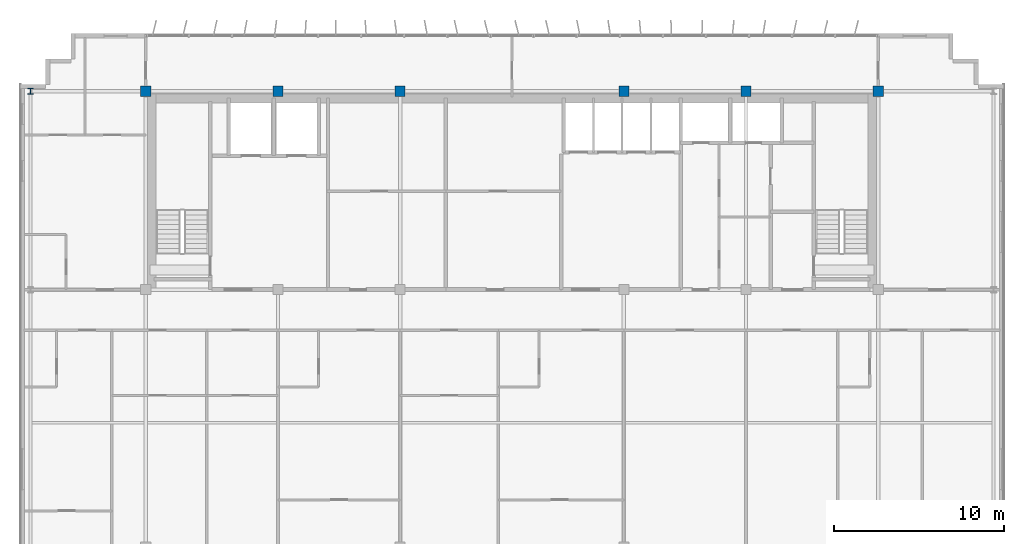
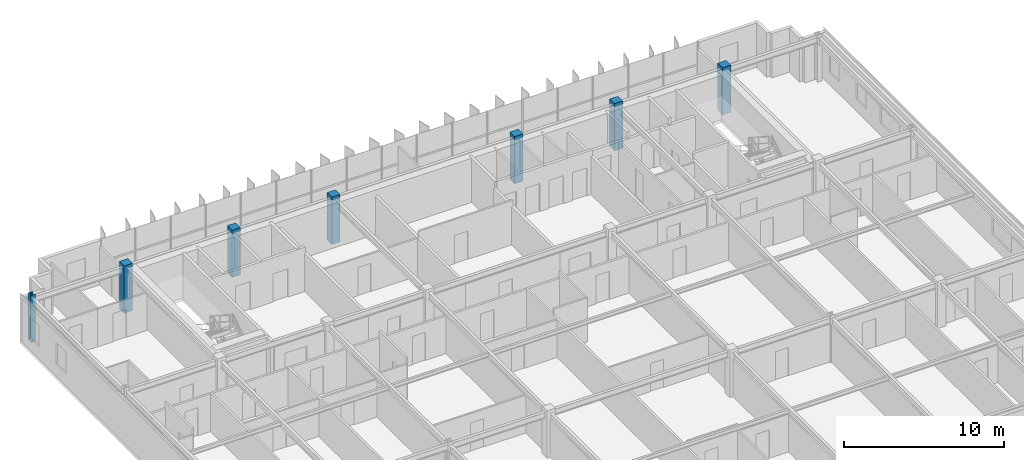
# One storey, part 3 of 23: 7 columns.
"""IFC4 building model written with IfcOpenShell, lengths in metres."""

import ifcopenshell
import ifcopenshell.guid

model = None  # the IFC model being written
_history = None  # IfcOwnerHistory: only IFC2X3 demands one
_inside = {}  # id of a spatial element -> (the spatial element, [elements in it])
_under = {}  # id of a project, library or spatial element -> (it, [spatial elements below it])
_declared = {}  # id of a project -> (the project, [libraries it declares])
_typed = {}  # id of a type object -> (the type object, [elements of that type])
_made_of = {}  # id of a material, layer set ... -> (it, [elements and type objects made of it])


def new_model(schema):
    """Start an empty IFC model of exactly this schema.

    Asked for "IFC4X3", IfcOpenShell would pick the latest addendum, in which some entities
    have other attributes; the version numbers below select the first issue.
    IFC2X3 requires an IfcOwnerHistory on every rooted entity: one is made here for all.
    """
    global model, _history
    if schema == "IFC4X3":
        model = ifcopenshell.file(schema_version=(4, 3, 0, 0))
    else:
        model = ifcopenshell.file(schema=schema)
    _inside.clear()
    _under.clear()
    _declared.clear()
    _typed.clear()
    _made_of.clear()
    _history = None
    if model.schema == "IFC2X3":
        org = make("IfcOrganization", Name="unknown")
        user = make(
            "IfcPersonAndOrganization",
            ThePerson=make("IfcPerson", FamilyName="unknown"),
            TheOrganization=org,
        )
        app = make(
            "IfcApplication",
            ApplicationDeveloper=org,
            Version="unknown",
            ApplicationFullName="unknown",
            ApplicationIdentifier="unknown",
        )
        _history = make(
            "IfcOwnerHistory",
            OwningUser=user,
            OwningApplication=app,
            ChangeAction="ADDED",
            CreationDate=0,
        )
    return model


def make(cls, **values):
    """One entity of the class cls with the attributes given. An attribute that is None is left unset."""
    return model.create_entity(
        cls, **{name: value for name, value in values.items() if value is not None}
    )


def rooted(cls, **values):
    """An entity with a GlobalId (a new one), such as an element, a storey or a relation."""
    return make(cls, GlobalId=ifcopenshell.guid.new(), OwnerHistory=_history, **values)


def si_unit(unit_type, name, prefix=None):
    """IfcSIUnit, for example si_unit("LENGTHUNIT", "METRE", prefix="MILLI")."""
    return make("IfcSIUnit", UnitType=unit_type, Prefix=prefix, Name=name)


def assignment(units):
    """IfcUnitAssignment: the units of a project."""
    return None if units is None else make("IfcUnitAssignment", Units=units)


def point(xyz):
    """IfcCartesianPoint."""
    return None if xyz is None else make("IfcCartesianPoint", Coordinates=xyz)


def direction(xyz):
    """IfcDirection."""
    return None if xyz is None else make("IfcDirection", DirectionRatios=xyz)


def frame(location, z_axis=None, x_axis=None):
    """IfcAxis2Placement3D, a coordinate frame: its origin and axes. An axis left out is left unset."""
    return make(
        "IfcAxis2Placement3D",
        Location=point(location),
        Axis=direction(z_axis),
        RefDirection=direction(x_axis),
    )


def frame_2d(location, x_axis=None):
    """IfcAxis2Placement2D, a coordinate frame in the plane: its origin and x axis."""
    return make(
        "IfcAxis2Placement2D", Location=point(location), RefDirection=direction(x_axis)
    )


def origin():
    """The frame at (0, 0, 0) with its axes left unset."""
    return frame((0.0, 0.0, 0.0))


def origin_2d():
    """The frame at (0, 0) in the plane with its x axis left unset."""
    return frame_2d((0.0, 0.0))


def place(relative_to, where):
    """IfcLocalPlacement: puts the frame where relative to a parent placement (None: the world)."""
    return make(
        "IfcLocalPlacement", PlacementRelTo=relative_to, RelativePlacement=where
    )


def context(
    kind, dimensions, precision=None, world=None, true_north=None, identifier=None
):
    """IfcGeometricRepresentationContext, for example the 3D "Model" context."""
    return make(
        "IfcGeometricRepresentationContext",
        ContextIdentifier=identifier,
        ContextType=kind,
        CoordinateSpaceDimension=dimensions,
        Precision=precision,
        WorldCoordinateSystem=world,
        TrueNorth=true_north,
    )


def subcontext(parent, identifier, kind, view, scale=None):
    """IfcGeometricRepresentationSubContext, for example "Body" below "Model"."""
    return make(
        "IfcGeometricRepresentationSubContext",
        ContextIdentifier=identifier,
        ContextType=kind,
        ParentContext=parent,
        TargetScale=scale,
        TargetView=view,
    )


def project(units=None, contexts=None):
    """IfcProject with its units and contexts."""
    return rooted(
        "IfcProject",
        Name="project",
        RepresentationContexts=contexts,
        UnitsInContext=assignment(units),
    )


def spatial(cls, under=None, at=None, **own):
    """A site, building, storey or space (cls), placed at a placement, below another one or the project."""
    s = rooted(cls, ObjectPlacement=at, **own)
    if under is not None:
        _under.setdefault(under.id(), (under, []))[1].append(s)
    return s


def profile(cls, at=None, kind="AREA", **sizes):
    """A parametric profile (cls). Its sizes go by their IFC names, for example OverallWidth=200.0."""
    return make(cls, ProfileType=kind, Position=at, **sizes)


def rectangle(**sizes):
    """IfcRectangleProfileDef."""
    return profile("IfcRectangleProfileDef", **sizes)


def i_section(**sizes):
    """IfcIShapeProfileDef."""
    return profile("IfcIShapeProfileDef", **sizes)


def extrude(swept, where, along, depth):
    """IfcExtrudedAreaSolid: the profile swept, set in the frame where, extruded along a direction by depth."""
    return make(
        "IfcExtrudedAreaSolid",
        SweptArea=swept,
        Position=where,
        ExtrudedDirection=direction(along),
        Depth=depth,
    )


def shape(context_of_items, identifier, shape_type, items):
    """IfcShapeRepresentation: the items that make up one representation, for example the "Body"."""
    return make(
        "IfcShapeRepresentation",
        ContextOfItems=context_of_items,
        RepresentationIdentifier=identifier,
        RepresentationType=shape_type,
        Items=items,
    )


def source(mapping_origin, context_of_items, identifier, shape_type, items):
    """IfcRepresentationMap: a shape defined once, which mapped items show again and again."""
    return make(
        "IfcRepresentationMap",
        MappingOrigin=mapping_origin,
        MappedRepresentation=shape(context_of_items, identifier, shape_type, items),
    )


def transform(
    local_origin,
    x_axis=None,
    y_axis=None,
    z_axis=None,
    scale=None,
    scale2=None,
    scale3=None,
    uniform=True,
):
    """IfcCartesianTransformationOperator3D, or its non-uniform kind. x_axis, y_axis, z_axis: its Axis1, 2, 3."""
    if uniform:
        return make(
            "IfcCartesianTransformationOperator3D",
            Axis1=direction(x_axis),
            Axis2=direction(y_axis),
            LocalOrigin=point(local_origin),
            Scale=scale,
            Axis3=direction(z_axis),
        )
    return make(
        "IfcCartesianTransformationOperator3DnonUniform",
        Axis1=direction(x_axis),
        Axis2=direction(y_axis),
        LocalOrigin=point(local_origin),
        Scale=scale,
        Axis3=direction(z_axis),
        Scale2=scale2,
        Scale3=scale3,
    )


def mapped(mapping_source, mapping_target):
    """IfcMappedItem: shows the shape of a source again, moved by a transform."""
    return make(
        "IfcMappedItem", MappingSource=mapping_source, MappingTarget=mapping_target
    )


def material(Name=None, Category=None):
    """IfcMaterial."""
    return make("IfcMaterial", Name=Name, Category=Category)


def material_profile(
    of_material, cross_section, Name=None, Category=None, Priority=None
):
    """IfcMaterialProfile: a cross section and its material."""
    return make(
        "IfcMaterialProfile",
        Name=Name,
        Material=of_material,
        Profile=cross_section,
        Priority=Priority,
        Category=Category,
    )


def profile_set(profiles, Name=None, composite=None):
    """IfcMaterialProfileSet."""
    return make(
        "IfcMaterialProfileSet",
        Name=Name,
        MaterialProfiles=profiles,
        CompositeProfile=composite,
    )


def made_of(thing, what):
    """Note that an element or type object is made of a material, layer set ...; save() writes the relation."""
    if what is not None:
        _made_of.setdefault(what.id(), (what, []))[1].append(thing)
    return thing


def type_object(cls, material=None, **own):
    """A type object (cls), such as IfcWallType, which elements share."""
    return made_of(rooted(cls, **own), material)


def element(
    cls,
    number,
    at=None,
    inside=None,
    cuts=None,
    type_object=None,
    material=None,
    context=None,
    identifier="Body",
    shape_type=None,
    held_by="IfcProductDefinitionShape",
    body=None,
    shapes=None,
    **own,
):
    """One element of the class cls, such as IfcWall. Its Tag is "e" and its number.

    at: its placement. inside: the storey or other place that contains it. cuts: it is an
    opening in that element (IfcRelVoidsElement). A single representation is given by context,
    identifier, shape_type and body (its items); several are given by shapes. held_by: the class
    of the entity that holds the representations. save() writes the other relations.
    """
    e = rooted(cls, Tag="e%d" % number, ObjectPlacement=at, **own)
    if body is not None:
        shapes = [shape(context, identifier, shape_type, body)]
    if shapes is not None:
        e.Representation = make(held_by, Representations=shapes)
    if inside is not None:
        _inside.setdefault(inside.id(), (inside, []))[1].append(e)
    if cuts is not None:
        rooted(
            "IfcRelVoidsElement", RelatingBuildingElement=cuts, RelatedOpeningElement=e
        )
    if type_object is not None:
        _typed.setdefault(type_object.id(), (type_object, []))[1].append(e)
    return made_of(e, material)


def aggregate(whole, parts):
    """IfcRelAggregates: a whole, such as a stair, and the parts it consists of."""
    return rooted("IfcRelAggregates", RelatingObject=whole, RelatedObjects=parts)


def save(model, path):
    """Write the relations noted so far, then the file.

    IfcRelAggregates (storeys below a building ...), IfcRelContainedInSpatialStructure (elements
    in a storey), IfcRelDefinesByType, IfcRelAssociatesMaterial and IfcRelDeclares: one each for
    every whole, place, type object, material and project.
    """
    for whole, parts in _under.values():
        aggregate(whole, parts)
    for where, things in _inside.values():
        rooted(
            "IfcRelContainedInSpatialStructure",
            RelatedElements=things,
            RelatingStructure=where,
        )
    for kind, things in _typed.values():
        rooted("IfcRelDefinesByType", RelatedObjects=things, RelatingType=kind)
    for what, things in _made_of.values():
        rooted("IfcRelAssociatesMaterial", RelatedObjects=things, RelatingMaterial=what)
    for by, libraries in _declared.values():
        rooted("IfcRelDeclares", RelatingContext=by, RelatedDefinitions=libraries)
    model.write(path)


model = new_model("IFC4")

# Units and contexts
model_context = context("Model", 3, precision=1e-05, world=origin(), true_north=direction((0.0, 1.0)))
body_context = subcontext(model_context, "Body", "Model", "MODEL_VIEW")
ifc_project = project(units=[si_unit("LENGTHUNIT", "METRE"), si_unit("AREAUNIT", "SQUARE_METRE"), si_unit("VOLUMEUNIT", "CUBIC_METRE"), si_unit("PLANEANGLEUNIT", "RADIAN"), si_unit("MASSUNIT", "GRAM", prefix="KILO")], contexts=[model_context])

# Site, building, storey
site_placement = place(None, origin())
site = spatial("IfcSite", under=ifc_project, at=site_placement, CompositionType="ELEMENT")
building_placement = place(site_placement, origin())
building = spatial("IfcBuilding", under=site, at=building_placement, Name="Trelvane Seafront Commons", CompositionType="ELEMENT")
storey_placement = place(building_placement, frame((0.0, 0.0, 266.699951171875)))
storey = spatial("IfcBuildingStorey", under=building, at=storey_placement, Name="L69", CompositionType="ELEMENT", Elevation=266.699951171875)

# Columns
ifc_material_1 = material(Name="Steel SM355 (S355)", Category="steel")
ifc_material_profile_1 = material_profile(ifc_material_1, i_section(OverallWidth=0.35009765625, OverallDepth=0.35009765625, WebThickness=0.01806640625, FlangeThickness=0.028076171875, at=origin_2d()), Name="HD-350x350x18x28")
ifc_profile_set_1 = profile_set([ifc_material_profile_1], Name="Steel SM355 (S355)")
column_type_1 = type_object("IfcColumnType", Name="STR-COL-HD350", PredefinedType="COLUMN", material=ifc_profile_set_1)
shared_shape_1 = source(origin(), body_context, "Body", "SweptSolid", [
    extrude(i_section(OverallWidth=0.35009765625, OverallDepth=0.35009765625, WebThickness=0.01806640625, FlangeThickness=0.028076171875, at=origin_2d()), origin(), (0.0, 0.0, 1.0), 3.60009765625),
])
column_placement = place(storey_placement, frame((8.800048828125, 45.10009765625, 0.0), z_axis=(0.0, 0.0, 1.0), x_axis=(1.0, 0.0, 0.0)))
element("IfcColumn", 1, at=column_placement, inside=storey, type_object=column_type_1, Name="L69 Column TC-CN8.8", PredefinedType="COLUMN", context=body_context, shape_type="MappedRepresentation", body=[
    mapped(shared_shape_1, transform((0.0, 0.0, 0.0), x_axis=(1.0, 0.0, 0.0), y_axis=(0.0, 1.0, 0.0), z_axis=(0.0, 0.0, 1.0), scale=1.0)),
])
ifc_material_2 = material(Name="Concrete C50/60", Category="concrete")
ifc_material_profile_2 = material_profile(ifc_material_2, rectangle(XDim=0.60009765625, YDim=0.60009765625, at=origin_2d()), Name="RC-600x600")
ifc_profile_set_2 = profile_set([ifc_material_profile_2], Name="Concrete C50/60")
column_type_2 = type_object("IfcColumnType", Name="STR-COL-RC600", PredefinedType="COLUMN", material=ifc_profile_set_2)
shared_shape_2 = source(origin(), body_context, "Body", "SweptSolid", [
    extrude(rectangle(XDim=0.60009765625, YDim=0.60009765625, at=origin_2d()), origin(), (0.0, 0.0, 1.0), 3.60009765625),
])
for number, where, z_axis, x_axis, name in (
    (2, (15.60009765625, 45.10009765625, 0.0), (0.0, 0.0, 1.0), (1.0, 0.0, 0.0), "L69 Column TC-CN15.6"),
    (3, (23.39990234375, 45.10009765625, 0.0), (0.0, 0.0, 1.0), (1.0, 0.0, 0.0), "L69 Column TC-CN23.4"),
    (4, (30.60009765625, 45.10009765625, 0.0), (0.0, 0.0, 1.0), (1.0, 0.0, 0.0), "L69 Column TC-CN30.6"),
    (5, (43.800048828125, 45.10009765625, 0.0), (0.0, 0.0, 1.0), (1.0, 0.0, 0.0), "L69 Column TC-CN43.8"),
    (6, (51.0, 45.10009765625, 0.0), (0.0, 0.0, 1.0), (1.0, 0.0, 0.0), "L69 Column TC-CN51.0"),
    (7, (58.800048828125, 45.10009765625, 0.0), (0.0, 0.0, 1.0), (1.0, 0.0, 0.0), "L69 Column TC-CN58.8"),
):
    element("IfcColumn", number, at=place(storey_placement, frame(where, z_axis=z_axis, x_axis=x_axis)), inside=storey, type_object=column_type_2, Name=name, PredefinedType="COLUMN", context=body_context, shape_type="MappedRepresentation", body=[
        mapped(shared_shape_2, transform((0.0, 0.0, 0.0), x_axis=(1.0, 0.0, 0.0), y_axis=(0.0, 1.0, 0.0), z_axis=(0.0, 0.0, 1.0), scale=1.0)),
    ])

save(model, "model.ifc")
